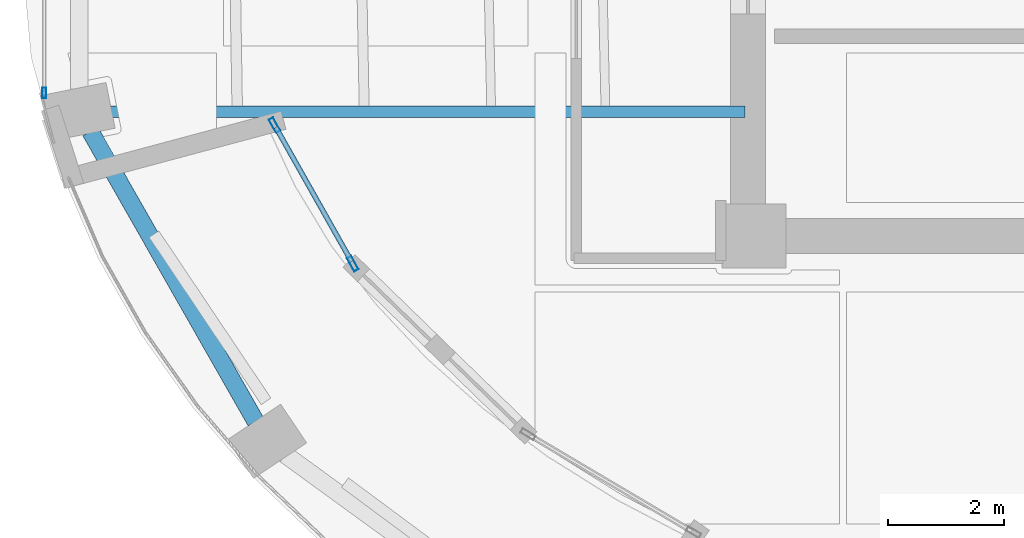
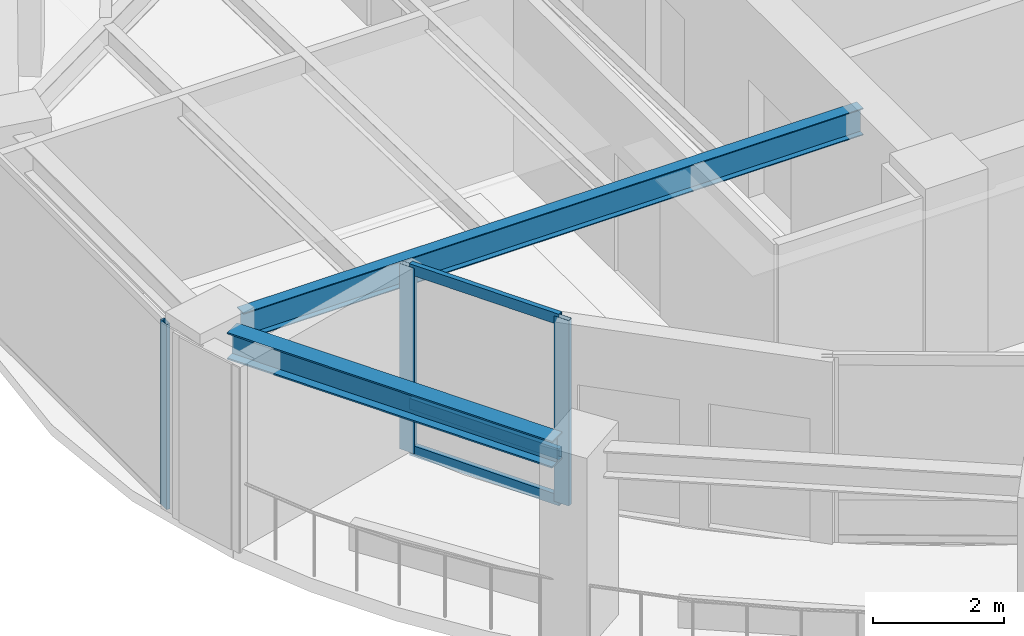
# One storey, part 3 of 21: 6 members, 2 beams, 2 elements without a shape of their own.
"""IFC4 building model written with IfcOpenShell, lengths in metres."""

from ifc_helpers import new_model, si_unit, direction, frame, origin, origin_2d, place, context, subcontext, project, spatial, hollow_rectangle, i_section, extrude, material, layer, layer_set, material_profile, profile_set, type_object, element, aggregate, save


model = new_model("IFC4")

# Units and contexts
model_context = context("Model", 3, precision=1e-05, world=origin(), true_north=direction((0.0, 1.0)))
body_context = subcontext(model_context, "Body", "Model", "MODEL_VIEW")
ifc_project = project(units=[si_unit("LENGTHUNIT", "METRE"), si_unit("AREAUNIT", "SQUARE_METRE"), si_unit("VOLUMEUNIT", "CUBIC_METRE"), si_unit("PLANEANGLEUNIT", "RADIAN"), si_unit("MASSUNIT", "GRAM", prefix="KILO")], contexts=[model_context])

# Site, building, storey
site_placement = place(None, origin())
site = spatial("IfcSite", under=ifc_project, at=site_placement, CompositionType="ELEMENT")
building_placement = place(site_placement, origin())
building = spatial("IfcBuilding", under=site, at=building_placement, Name="Lazwardi Medical Tower", CompositionType="ELEMENT")
storey_placement = place(building_placement, frame((0.0, 0.0, 216.719970703125)))
storey = spatial("IfcBuildingStorey", under=building, at=storey_placement, Name="L56", CompositionType="ELEMENT", Elevation=216.719970703125)

# Beams
ifc_material_1 = material(Name="Steel S355", Category="steel")
ifc_material_profile_1 = material_profile(ifc_material_1, i_section(OverallWidth=0.300048828125, OverallDepth=0.5, WebThickness=0.014404296875, FlangeThickness=0.028076171875, at=origin_2d()), Name="HEB 500")
ifc_profile_set_1 = profile_set([ifc_material_profile_1], Name="Steel S355")
beam_type_1 = type_object("IfcBeamType", Name="BM-RB-Z4", PredefinedType="BEAM", material=ifc_profile_set_1)
beam_1_placement = place(storey_placement, frame((15.008056640625, 22.1982421875, 3.197998046875), z_axis=(0.495125273299, -0.868821594886, 0.0), x_axis=(0.868821594886, 0.495125273299, 0.0)))
element("IfcBeam", 1, at=beam_1_placement, inside=storey, type_object=beam_type_1, Name="Ring beam RB-05 B13 L56", PredefinedType="BEAM", context=body_context, shape_type="SweptSolid", body=[
    extrude(i_section(OverallWidth=0.300048828125, OverallDepth=0.5, WebThickness=0.014404296875, FlangeThickness=0.028076171875, at=origin_2d()), origin(), (0.0, 0.0, 1.0), 5.734130859375),
])
ifc_material_profile_2 = material_profile(ifc_material_1, i_section(OverallWidth=0.199951171875, OverallDepth=0.5, WebThickness=0.01025390625, FlangeThickness=0.01611328125, at=origin_2d()), Name="IPE 500")
ifc_profile_set_2 = profile_set([ifc_material_profile_2], Name="Steel S355")
beam_type_2 = type_object("IfcBeamType", Name="BM-RG-W3", PredefinedType="BEAM", material=ifc_profile_set_2)
beam_2_placement = place(storey_placement, frame((15.35009765625, 22.537109375, 3.197998046875), z_axis=(1.0, 0.0, 0.0), x_axis=(0.0, 1.0, 0.0)))
element("IfcBeam", 2, at=beam_2_placement, inside=storey, type_object=beam_type_2, Name="Radial girder RG-04 R13 L56", PredefinedType="BEAM", context=body_context, shape_type="SweptSolid", body=[
    extrude(i_section(OverallWidth=0.199951171875, OverallDepth=0.5, WebThickness=0.01025390625, FlangeThickness=0.01611328125, at=origin_2d()), origin(), (0.0, 0.0, 1.0), 10.89990234375),
])

# Curtain wall, members
ifc_material_2 = material(Name="Anodised bronze aluminium and solar control glazing", Category="aluminium")
ifc_layer_1 = layer(ifc_material_2, 0.239990234375)
ifc_layer_set_1 = layer_set([ifc_layer_1], Name="Anodised bronze aluminium and solar control glazing")
curtain_wall_type_1 = type_object("IfcCurtainWallType", Name="CW-SYS-05", PredefinedType="NOTDEFINED", material=ifc_layer_set_1)
curtain_wall_1_placement = place(storey_placement, origin())
curtain_wall_1 = element("IfcCurtainWall", 3, at=curtain_wall_1_placement, inside=storey, type_object=curtain_wall_type_1, Name="L56 Unitised bronze curtain wall CW-05", PredefinedType="NOTDEFINED")
ifc_material_3 = material(Name="Anodised bronze aluminium", Category="aluminium")
ifc_material_profile_3 = material_profile(ifc_material_3, hollow_rectangle(XDim=0.0849609375, YDim=0.260009765625, WallThickness=0.0048828125, at=origin_2d()), Name="ALU-MULLION 260x85x5")
ifc_profile_set_3 = profile_set([ifc_material_profile_3], Name="Anodised bronze aluminium")
member_type_1 = type_object("IfcMemberType", Name="CW-MUL-02", PredefinedType="MULLION", material=ifc_profile_set_3)
member_1_placement = place(storey_placement, frame((18.170654296875, 22.30712890625, 0.0), z_axis=(0.0, 0.0, 1.0), x_axis=(0.871060591765, 0.491175574998, 0.0)))
member_1 = element("IfcMember", 4, at=member_1_placement, type_object=member_type_1, Name="CW-05 mullion 1", PredefinedType="MULLION", context=body_context, shape_type="SweptSolid", body=[
    extrude(hollow_rectangle(XDim=0.0849609375, YDim=0.260009765625, WallThickness=0.0048828125, at=origin_2d()), origin(), (0.0, 0.0, 1.0), 3.447998046875),
])
member_2_placement = place(storey_placement, frame((19.513427734375, 19.92578125, 0.0), z_axis=(0.0, 0.0, 1.0), x_axis=(0.871060591765, 0.491175574998, 0.0)))
member_2 = element("IfcMember", 5, at=member_2_placement, type_object=member_type_1, Name="CW-05 mullion 2", PredefinedType="MULLION", context=body_context, shape_type="SweptSolid", body=[
    extrude(hollow_rectangle(XDim=0.0849609375, YDim=0.260009765625, WallThickness=0.0048828125, at=origin_2d()), origin(), (0.0, 0.0, 1.0), 3.447998046875),
])

# Curtain wall, member
ifc_layer_2 = layer(ifc_material_2, 0.18994140625)
ifc_layer_set_2 = layer_set([ifc_layer_2], Name="Anodised bronze aluminium and solar control glazing")
curtain_wall_type_2 = type_object("IfcCurtainWallType", Name="CW-SYS-04", PredefinedType="NOTDEFINED", material=ifc_layer_set_2)
curtain_wall_2_placement = place(storey_placement, origin())
curtain_wall_2 = element("IfcCurtainWall", 6, at=curtain_wall_2_placement, inside=storey, type_object=curtain_wall_type_2, Name="L56 Unitised bronze curtain wall CW-04", PredefinedType="NOTDEFINED")
ifc_material_profile_4 = material_profile(ifc_material_3, hollow_rectangle(XDim=0.06494140625, YDim=0.179931640625, WallThickness=0.00390625, at=origin_2d()), Name="ALU-MULLION 180x65x4")
ifc_profile_set_4 = profile_set([ifc_material_profile_4], Name="Anodised bronze aluminium")
member_type_2 = type_object("IfcMemberType", Name="CW-MUL-03", PredefinedType="MULLION", material=ifc_profile_set_4)
member_3_placement = place(storey_placement, frame((14.2158203125, 22.859619140625, 0.0), z_axis=(0.0, 0.0, 1.0), x_axis=(1.0, 0.0, 0.0)))
member_3 = element("IfcMember", 7, at=member_3_placement, type_object=member_type_2, Name="CW-04 mullion 2", PredefinedType="MULLION", context=body_context, shape_type="SweptSolid", body=[
    extrude(hollow_rectangle(XDim=0.06494140625, YDim=0.179931640625, WallThickness=0.00390625, at=origin_2d()), origin(), (0.0, 0.0, 1.0), 3.447998046875),
])
aggregate(curtain_wall_2, [member_3])

# Member
ifc_material_profile_5 = material_profile(ifc_material_3, hollow_rectangle(XDim=0.0849609375, YDim=0.199951171875, WallThickness=0.00439453125, at=origin_2d()), Name="ALU-TRANSOM 200x85x4.5")
ifc_profile_set_5 = profile_set([ifc_material_profile_5], Name="Anodised bronze aluminium")
member_type_3 = type_object("IfcMemberType", Name="CW-TRN-02", PredefinedType="USERDEFINED", material=ifc_profile_set_5)
member_4_placement = place(storey_placement, frame((18.19140625, 22.27001953125, 0.04248046875), z_axis=(0.491197470576, -0.871048244875, 0.0), x_axis=(0.871048244875, 0.491197470576, 0.0)))
member_4 = element("IfcMember", 8, at=member_4_placement, type_object=member_type_3, Name="CW-05 transom 1.1", ObjectType="TRANSOM", PredefinedType="USERDEFINED", context=body_context, shape_type="SweptSolid", body=[
    extrude(hollow_rectangle(XDim=0.0849609375, YDim=0.199951171875, WallThickness=0.00439453125, at=origin_2d()), origin(), (0.0, 0.0, 1.0), 2.648681640625),
])

member_5_placement = place(storey_placement, frame((18.19140625, 22.27001953125, 0.900146484375), z_axis=(0.491197470576, -0.871048244875, 0.0), x_axis=(0.871048244875, 0.491197470576, 0.0)))
member_5 = element("IfcMember", 9, at=member_5_placement, type_object=member_type_3, Name="CW-05 transom 1.2", ObjectType="TRANSOM", PredefinedType="USERDEFINED", context=body_context, shape_type="SweptSolid", body=[
    extrude(hollow_rectangle(XDim=0.0849609375, YDim=0.199951171875, WallThickness=0.00439453125, at=origin_2d()), origin(), (0.0, 0.0, 1.0), 2.648681640625),
])

member_6_placement = place(storey_placement, frame((18.19140625, 22.27001953125, 3.405517578125), z_axis=(0.491197470576, -0.871048244875, 0.0), x_axis=(0.871048244875, 0.491197470576, 0.0)))
member_6 = element("IfcMember", 10, at=member_6_placement, type_object=member_type_3, Name="CW-05 transom 1.3", ObjectType="TRANSOM", PredefinedType="USERDEFINED", context=body_context, shape_type="SweptSolid", body=[
    extrude(hollow_rectangle(XDim=0.0849609375, YDim=0.199951171875, WallThickness=0.00439453125, at=origin_2d()), origin(), (0.0, 0.0, 1.0), 2.648681640625),
])

aggregate(curtain_wall_1, [member_1, member_2, member_4, member_5, member_6])

save(model, "model.ifc")
